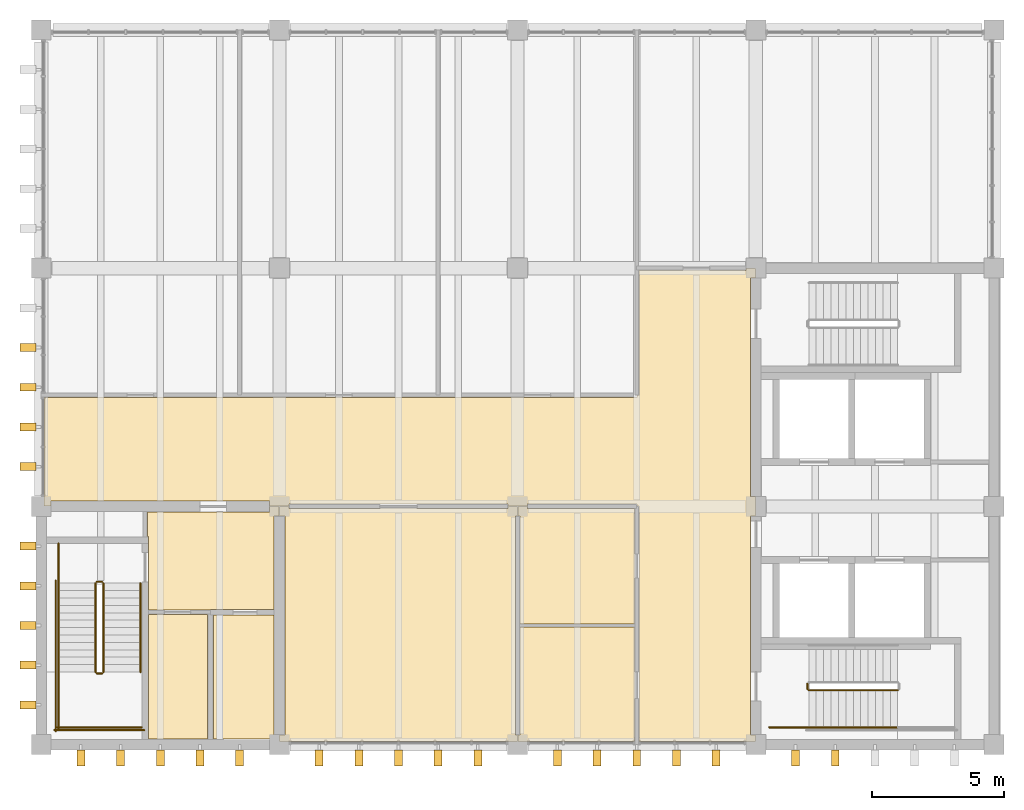
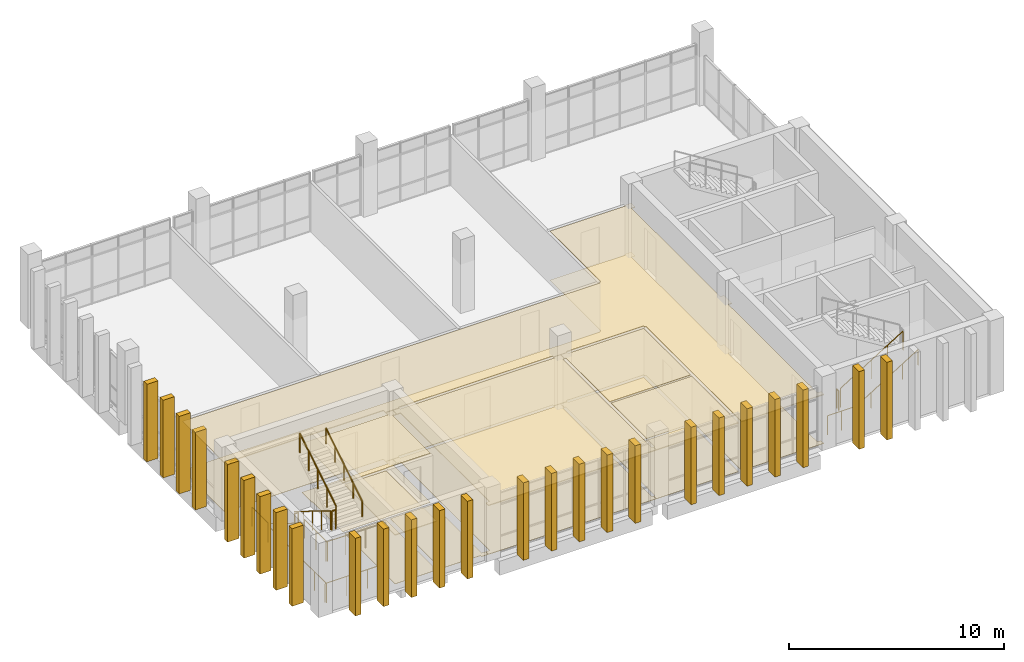
# One storey, part 12 of 14: 26 shading devices, 15 railings, 13 coverings.
"""IFC4 building model written with IfcOpenShell, lengths in metres."""

from ifc_helpers import new_model, si_unit, direction, frame, origin, origin_2d, place, context, subcontext, project, spatial, polyline, circle, outline, extrude, source, transform, mapped, material, layer, layer_set, type_object, element, save


model = new_model("IFC4")

# Units and contexts
model_context = context("Model", 3, precision=1e-05, world=origin(), true_north=direction((0.0, 1.0)))
body_context = subcontext(model_context, "Body", "Model", "MODEL_VIEW")
ifc_project = project(units=[si_unit("LENGTHUNIT", "METRE"), si_unit("AREAUNIT", "SQUARE_METRE"), si_unit("VOLUMEUNIT", "CUBIC_METRE"), si_unit("PLANEANGLEUNIT", "RADIAN"), si_unit("MASSUNIT", "GRAM", prefix="KILO")], contexts=[model_context])

# Site, building, storey
site_placement = place(None, origin())
site = spatial("IfcSite", under=ifc_project, at=site_placement, CompositionType="ELEMENT")
building_placement = place(site_placement, origin())
building = spatial("IfcBuilding", under=site, at=building_placement, Name="Merrow Basin Faculty of Sciences", CompositionType="ELEMENT")
storey_placement = place(building_placement, frame((0.0, 0.0, 27.0)))
storey = spatial("IfcBuildingStorey", under=building, at=storey_placement, Name="L06", CompositionType="ELEMENT", Elevation=27.0)

# Coverings
ifc_material_1 = material(Name="Carpet tile floor")
ifc_layer_1 = layer(ifc_material_1, 0.02001953125)
ifc_layer_set_1 = layer_set([ifc_layer_1], Name="Carpet tile floor")
covering_type_1 = type_object("IfcCoveringType", Name="Carpet tile floor", PredefinedType="FLOORING", material=ifc_layer_set_1)
covering_1_placement = place(storey_placement, origin())
element("IfcCovering", 1, at=covering_1_placement, inside=storey, type_object=covering_type_1, Name="Floor finish L06-T-011", PredefinedType="FLOORING", context=body_context, shape_type="SweptSolid", body=[
    extrude(outline(polyline([(26.989990234375, 142.110107421875), (26.635009765625, 142.110107421875), (26.635009765625, 142.2099609375), (24.510009765625, 142.2099609375), (24.510009765625, 146.889892578125), (26.7900390625, 146.889892578125), (26.7900390625, 142.364990234375), (26.989990234375, 142.364990234375), (26.989990234375, 142.110107421875)])), origin(), (0.0, 0.0, 1.0), 0.02001953125),
])
ifc_material_2 = material(Name="Ceramic floor tile")
ifc_layer_2 = layer(ifc_material_2, 0.02001953125)
ifc_layer_set_2 = layer_set([ifc_layer_2], Name="Ceramic floor tile")
covering_type_2 = type_object("IfcCoveringType", Name="Ceramic floor tile", PredefinedType="FLOORING", material=ifc_layer_set_2)
covering_2_placement = place(storey_placement, origin())
element("IfcCovering", 2, at=covering_2_placement, inside=storey, type_object=covering_type_2, Name="Floor finish L06-T-010", PredefinedType="FLOORING", context=body_context, shape_type="SweptSolid", body=[
    extrude(outline(polyline([(24.2900390625, 142.2099609375), (22.06005859375, 142.2099609375), (22.06005859375, 146.9150390625), (24.2900390625, 146.9150390625), (24.2900390625, 142.2099609375)])), origin(), (0.0, 0.0, 1.0), 0.02001953125),
])
covering_3_placement = place(storey_placement, origin())
element("IfcCovering", 3, at=covering_3_placement, inside=storey, type_object=covering_type_2, Name="Floor finish L06-T-012", PredefinedType="FLOORING", context=body_context, shape_type="SweptSolid", body=[
    extrude(outline(polyline([(36.010009765625, 142.110107421875), (36.010009765625, 142.364990234375), (36.0849609375, 142.364990234375), (36.0849609375, 146.43994140625), (40.4150390625, 146.43994140625), (40.4150390625, 142.110107421875), (36.010009765625, 142.110107421875)])), origin(), (0.0, 0.0, 1.0), 0.02001953125),
])
covering_4_placement = place(storey_placement, origin())
element("IfcCovering", 4, at=covering_4_placement, inside=storey, type_object=covering_type_2, Name="Floor finish L06-T-013", PredefinedType="FLOORING", context=body_context, shape_type="SweptSolid", body=[
    extrude(outline(polyline([(36.010009765625, 150.989990234375), (36.364990234375, 150.989990234375), (36.364990234375, 150.9150390625), (40.4150390625, 150.9150390625), (40.4150390625, 146.56005859375), (36.0849609375, 146.56005859375), (36.0849609375, 150.635009765625), (36.010009765625, 150.635009765625), (36.010009765625, 150.989990234375)])), origin(), (0.0, 0.0, 1.0), 0.02001953125),
])
ifc_material_3 = material(Name="Laboratory sheet vinyl floor")
ifc_layer_3 = layer(ifc_material_3, 0.02001953125)
ifc_layer_set_3 = layer_set([ifc_layer_3], Name="Laboratory sheet vinyl floor")
covering_type_3 = type_object("IfcCoveringType", Name="Laboratory sheet vinyl floor", PredefinedType="FLOORING", material=ifc_layer_set_3)
covering_5_placement = place(storey_placement, origin())
element("IfcCovering", 5, at=covering_5_placement, inside=storey, type_object=covering_type_3, Name="Floor finish L06-T-017", PredefinedType="FLOORING", context=body_context, shape_type="SweptSolid", body=[
    extrude(outline(polyline([(27.364990234375, 150.989990234375), (27.364990234375, 150.9150390625), (35.635009765625, 150.9150390625), (35.635009765625, 150.989990234375), (35.989990234375, 150.989990234375), (35.989990234375, 150.635009765625), (35.9150390625, 150.635009765625), (35.9150390625, 142.364990234375), (35.989990234375, 142.364990234375), (35.989990234375, 142.110107421875), (27.010009765625, 142.110107421875), (27.010009765625, 142.364990234375), (27.2099609375, 142.364990234375), (27.2099609375, 150.635009765625), (27.010009765625, 150.635009765625), (27.010009765625, 150.989990234375), (27.364990234375, 150.989990234375)])), origin(), (0.0, 0.0, 1.0), 0.02001953125),
])
ifc_material_4 = material(Name="Polished terrazzo floor")
ifc_layer_4 = layer(ifc_material_4, 0.02001953125)
ifc_layer_set_4 = layer_set([ifc_layer_4], Name="Polished terrazzo floor")
covering_type_4 = type_object("IfcCoveringType", Name="Polished terrazzo floor", PredefinedType="FLOORING", material=ifc_layer_set_4)
covering_6_placement = place(storey_placement, origin())
element("IfcCovering", 6, at=covering_6_placement, inside=storey, type_object=covering_type_4, Name="Floor finish L06-T-009", PredefinedType="FLOORING", context=body_context, shape_type="SweptSolid", body=[
    extrude(outline(polyline([(26.989990234375, 150.989990234375), (26.989990234375, 150.635009765625), (26.7900390625, 150.635009765625), (26.7900390625, 147.110107421875), (24.389892578125, 147.110107421875), (24.389892578125, 147.0849609375), (22.06005859375, 147.0849609375), (22.06005859375, 149.860107421875), (22.010009765625, 149.860107421875), (22.010009765625, 150.7900390625), (26.635009765625, 150.7900390625), (26.635009765625, 150.989990234375), (26.989990234375, 150.989990234375)])), origin(), (0.0, 0.0, 1.0), 0.02001953125),
])
covering_7_placement = place(storey_placement, origin())
element("IfcCovering", 7, at=covering_7_placement, inside=storey, type_object=covering_type_4, Name="Floor finish L06-T-019", PredefinedType="FLOORING", context=body_context, shape_type="SweptSolid", body=[
    extrude(outline(polyline([(44.989990234375, 159.635009765625), (44.7900390625, 159.635009765625), (44.7900390625, 151.364990234375), (44.989990234375, 151.364990234375), (44.989990234375, 150.635009765625), (44.7900390625, 150.635009765625), (44.7900390625, 142.364990234375), (44.989990234375, 142.364990234375), (44.989990234375, 142.110107421875), (40.5849609375, 142.110107421875), (40.5849609375, 151.010009765625), (40.510009765625, 151.010009765625), (40.510009765625, 151.0849609375), (36.364990234375, 151.0849609375), (36.364990234375, 151.010009765625), (35.635009765625, 151.010009765625), (35.635009765625, 151.0849609375), (27.364990234375, 151.0849609375), (27.364990234375, 151.010009765625), (26.635009765625, 151.010009765625), (26.635009765625, 151.2099609375), (18.364990234375, 151.2099609375), (18.364990234375, 151.010009765625), (18.110107421875, 151.010009765625), (18.110107421875, 155.114990234375), (40.510009765625, 155.114990234375), (40.510009765625, 155.18994140625), (40.5849609375, 155.18994140625), (40.5849609375, 159.9150390625), (44.635009765625, 159.9150390625), (44.635009765625, 159.989990234375), (44.989990234375, 159.989990234375), (44.989990234375, 159.635009765625)])), origin(), (0.0, 0.0, 1.0), 0.02001953125),
])

# Railings
ifc_material_5 = material(Name="Steel ASTM A36", Category="steel")
railing_type_1 = type_object("IfcRailingType", Name="Steel guard 1100", PredefinedType="GUARDRAIL", material=ifc_material_5)
railing_1_placement = place(storey_placement, frame((47.0, 144.050048828125, 0.173095703125)))
element("IfcRailing", 8, at=railing_1_placement, inside=storey, type_object=railing_type_1, Name="L06 ST-V5-N stair guard 1", PredefinedType="GUARDRAIL", context=body_context, shape_type="SweptSolid", body=[
    extrude(circle(Radius=0.02392578125, at=origin_2d()), frame((0.0, 0.0, 1.076171875), z_axis=(0.850623216509, 0.0, 0.525775754039), x_axis=(0.0, 1.0, 0.0)), (0.0, 0.0, 1.0), 3.9501953125),
    extrude(circle(Radius=0.02099609375, at=origin_2d()), origin(), (0.0, 0.0, 1.0), 1.052001953125),
    extrude(circle(Radius=0.02099609375, at=origin_2d()), frame((0.840087890625, 0.0, 0.519287109375)), (0.0, 0.0, 1.0), 1.052001953125),
    extrude(circle(Radius=0.02099609375, at=origin_2d()), frame((1.68017578125, 0.0, 1.03857421875)), (0.0, 0.0, 1.0), 1.052001953125),
    extrude(circle(Radius=0.02099609375, at=origin_2d()), frame((2.52001953125, 0.0, 1.5576171875)), (0.0, 0.0, 1.0), 1.052001953125),
    extrude(circle(Radius=0.02099609375, at=origin_2d()), frame((3.360107421875, 0.0, 2.076904296875)), (0.0, 0.0, 1.0), 1.052001953125),
])
railing_2_placement = place(storey_placement, frame((46.949951171875, 144.10009765625, 0.0)))
element("IfcRailing", 9, at=railing_2_placement, inside=storey, type_object=railing_type_1, Name="L06 ST-V5-N stair guard 5", PredefinedType="GUARDRAIL", context=body_context, shape_type="SweptSolid", body=[
    extrude(circle(Radius=0.02392578125, at=origin_2d()), frame((0.0, 0.0, 1.076171875), z_axis=(0.0, 1.0, 0.0), x_axis=(-1.0, 0.0, 0.0)), (0.0, 0.0, 1.0), 0.199951171875),
    extrude(circle(Radius=0.02099609375, at=origin_2d()), origin(), (0.0, 0.0, 1.0), 1.052001953125),
    extrude(circle(Radius=0.02099609375, at=origin_2d()), frame((0.0, 0.199951171875, 0.0)), (0.0, 0.0, 1.0), 1.052001953125),
])
railing_3_placement = place(storey_placement, frame((45.5, 142.64990234375, 0.0)))
element("IfcRailing", 10, at=railing_3_placement, inside=storey, type_object=railing_type_1, Name="L06 ST-V5-N stair guard 6", PredefinedType="GUARDRAIL", context=body_context, shape_type="SweptSolid", body=[
    extrude(circle(Radius=0.02392578125, at=origin_2d()), frame((0.0, 0.0, 1.076171875), z_axis=(1.0, 0.0, 0.0), x_axis=(0.0, 1.0, 0.0)), (0.0, 0.0, 1.0), 1.5),
    extrude(circle(Radius=0.02099609375, at=origin_2d()), origin(), (0.0, 0.0, 1.0), 1.052001953125),
    extrude(circle(Radius=0.02099609375, at=origin_2d()), frame((0.75, 0.0, 0.0)), (0.0, 0.0, 1.0), 1.052001953125),
    extrude(circle(Radius=0.02099609375, at=origin_2d()), frame((1.5, 0.0, 0.0)), (0.0, 0.0, 1.0), 1.052001953125),
])
railing_4_placement = place(storey_placement, frame((20.050048828125, 148.10009765625, 0.173095703125)))
element("IfcRailing", 11, at=railing_4_placement, inside=storey, type_object=railing_type_1, Name="L06 ST-V5-W stair guard 1", PredefinedType="GUARDRAIL", context=body_context, shape_type="SweptSolid", body=[
    extrude(circle(Radius=0.02392578125, at=origin_2d()), frame((0.0, 0.0, 1.076171875), z_axis=(0.0, -0.850623216509, 0.525775754039), x_axis=(1.0, 0.0, 0.0)), (0.0, 0.0, 1.0), 3.9501953125),
    extrude(circle(Radius=0.02099609375, at=origin_2d()), origin(), (0.0, 0.0, 1.0), 1.052001953125),
    extrude(circle(Radius=0.02099609375, at=origin_2d()), frame((0.0, -0.840087890625, 0.519287109375)), (0.0, 0.0, 1.0), 1.052001953125),
    extrude(circle(Radius=0.02099609375, at=origin_2d()), frame((0.0, -1.68017578125, 1.03857421875)), (0.0, 0.0, 1.0), 1.052001953125),
    extrude(circle(Radius=0.02099609375, at=origin_2d()), frame((0.0, -2.52001953125, 1.5576171875)), (0.0, 0.0, 1.0), 1.052001953125),
    extrude(circle(Radius=0.02099609375, at=origin_2d()), frame((0.0, -3.360107421875, 2.076904296875)), (0.0, 0.0, 1.0), 1.052001953125),
])
railing_5_placement = place(storey_placement, frame((20.10009765625, 144.68994140625, 2.25)))
element("IfcRailing", 12, at=railing_5_placement, inside=storey, type_object=railing_type_1, Name="L06 ST-V5-W stair guard 2", PredefinedType="GUARDRAIL", context=body_context, shape_type="SweptSolid", body=[
    extrude(circle(Radius=0.02392578125, at=origin_2d()), frame((0.0, 0.0, 1.076171875), z_axis=(1.0, 0.0, 0.0), x_axis=(0.0, 1.0, 0.0)), (0.0, 0.0, 1.0), 0.199951171875),
    extrude(circle(Radius=0.02099609375, at=origin_2d()), origin(), (0.0, 0.0, 1.0), 1.052001953125),
    extrude(circle(Radius=0.02099609375, at=origin_2d()), frame((0.199951171875, 0.0, 0.0)), (0.0, 0.0, 1.0), 1.052001953125),
])
railing_6_placement = place(storey_placement, frame((18.64990234375, 144.739990234375, 2.25)))
element("IfcRailing", 13, at=railing_6_placement, inside=storey, type_object=railing_type_1, Name="L06 ST-V5-W stair guard 3", PredefinedType="GUARDRAIL", context=body_context, shape_type="SweptSolid", body=[
    extrude(circle(Radius=0.02392578125, at=origin_2d()), frame((0.0, 0.0, 1.076171875), z_axis=(0.0, -1.0, 0.0), x_axis=(1.0, 0.0, 0.0)), (0.0, 0.0, 1.0), 2.139892578125),
    extrude(circle(Radius=0.02099609375, at=origin_2d()), origin(), (0.0, 0.0, 1.0), 1.052001953125),
    extrude(circle(Radius=0.02099609375, at=origin_2d()), frame((0.0, -1.06982421875, 0.0)), (0.0, 0.0, 1.0), 1.052001953125),
    extrude(circle(Radius=0.02099609375, at=origin_2d()), frame((0.0, -2.139892578125, 0.0)), (0.0, 0.0, 1.0), 1.052001953125),
])
railing_7_placement = place(storey_placement, frame((18.60009765625, 142.64990234375, 2.25)))
element("IfcRailing", 14, at=railing_7_placement, inside=storey, type_object=railing_type_1, Name="L06 ST-V5-W stair guard 4", PredefinedType="GUARDRAIL", context=body_context, shape_type="SweptSolid", body=[
    extrude(circle(Radius=0.02392578125, at=origin_2d()), frame((0.0, 0.0, 1.076171875), z_axis=(1.0, 0.0, 0.0), x_axis=(0.0, 1.0, 0.0)), (0.0, 0.0, 1.0), 3.199951171875),
    extrude(circle(Radius=0.02099609375, at=origin_2d()), origin(), (0.0, 0.0, 1.0), 1.052001953125),
    extrude(circle(Radius=0.02099609375, at=origin_2d()), frame((1.066650390625, 0.0, 0.0)), (0.0, 0.0, 1.0), 1.052001953125),
    extrude(circle(Radius=0.02099609375, at=origin_2d()), frame((2.13330078125, 0.0, 0.0)), (0.0, 0.0, 1.0), 1.052001953125),
    extrude(circle(Radius=0.02099609375, at=origin_2d()), frame((3.199951171875, 0.0, 0.0)), (0.0, 0.0, 1.0), 1.052001953125),
])
railing_8_placement = place(storey_placement, frame((20.35009765625, 144.739990234375, 2.423095703125)))
element("IfcRailing", 15, at=railing_8_placement, inside=storey, type_object=railing_type_1, Name="L06 ST-V5-W stair guard 5", PredefinedType="GUARDRAIL", context=body_context, shape_type="SweptSolid", body=[
    extrude(circle(Radius=0.02392578125, at=origin_2d()), frame((0.0, 0.0, 1.076171875), z_axis=(0.0, 0.850623216509, 0.525775754039), x_axis=(-1.0, 0.0, 0.0)), (0.0, 0.0, 1.0), 3.9501953125),
    extrude(circle(Radius=0.02099609375, at=origin_2d()), origin(), (0.0, 0.0, 1.0), 1.052001953125),
    extrude(circle(Radius=0.02099609375, at=origin_2d()), frame((0.0, 0.840087890625, 0.519287109375)), (0.0, 0.0, 1.0), 1.052001953125),
    extrude(circle(Radius=0.02099609375, at=origin_2d()), frame((0.0, 1.68017578125, 1.03857421875)), (0.0, 0.0, 1.0), 1.052001953125),
    extrude(circle(Radius=0.02099609375, at=origin_2d()), frame((0.0, 2.52001953125, 1.5576171875)), (0.0, 0.0, 1.0), 1.052001953125),
    extrude(circle(Radius=0.02099609375, at=origin_2d()), frame((0.0, 3.360107421875, 2.076904296875)), (0.0, 0.0, 1.0), 1.052001953125),
])
railing_9_placement = place(storey_placement, frame((20.10009765625, 148.14990234375, 0.0)))
element("IfcRailing", 16, at=railing_9_placement, inside=storey, type_object=railing_type_1, Name="L06 ST-V5-W stair guard 6", PredefinedType="GUARDRAIL", context=body_context, shape_type="SweptSolid", body=[
    extrude(circle(Radius=0.02392578125, at=origin_2d()), frame((0.0, 0.0, 1.076171875), z_axis=(1.0, 0.0, 0.0), x_axis=(0.0, 1.0, 0.0)), (0.0, 0.0, 1.0), 0.199951171875),
    extrude(circle(Radius=0.02099609375, at=origin_2d()), origin(), (0.0, 0.0, 1.0), 1.052001953125),
    extrude(circle(Radius=0.02099609375, at=origin_2d()), frame((0.199951171875, 0.0, 0.0)), (0.0, 0.0, 1.0), 1.052001953125),
])
railing_10_placement = place(storey_placement, frame((18.64990234375, 149.60009765625, 0.0)))
element("IfcRailing", 17, at=railing_10_placement, inside=storey, type_object=railing_type_1, Name="L06 ST-V5-W stair guard 7", PredefinedType="GUARDRAIL", context=body_context, shape_type="SweptSolid", body=[
    extrude(circle(Radius=0.02392578125, at=origin_2d()), frame((0.0, 0.0, 1.076171875), z_axis=(0.0, -1.0, 0.0), x_axis=(1.0, 0.0, 0.0)), (0.0, 0.0, 1.0), 1.5),
    extrude(circle(Radius=0.02099609375, at=origin_2d()), origin(), (0.0, 0.0, 1.0), 1.052001953125),
    extrude(circle(Radius=0.02099609375, at=origin_2d()), frame((0.0, -0.75, 0.0)), (0.0, 0.0, 1.0), 1.052001953125),
    extrude(circle(Radius=0.02099609375, at=origin_2d()), frame((0.0, -1.5, 0.0)), (0.0, 0.0, 1.0), 1.052001953125),
])
railing_11_placement = place(storey_placement, frame((18.550048828125, 148.199951171875, 0.0)))
element("IfcRailing", 18, at=railing_11_placement, inside=storey, type_object=railing_type_1, Name="L06 ST-V5-W stair guard 8", PredefinedType="GUARDRAIL", context=body_context, shape_type="SweptSolid", body=[
    extrude(circle(Radius=0.02392578125, at=origin_2d()), frame((0.0, 0.0, 1.076171875), z_axis=(0.0, -1.0, 0.0), x_axis=(1.0, 0.0, 0.0)), (0.0, 0.0, 1.0), 5.699951171875),
    extrude(circle(Radius=0.02099609375, at=origin_2d()), origin(), (0.0, 0.0, 1.0), 1.052001953125),
    extrude(circle(Radius=0.02099609375, at=origin_2d()), frame((0.0, -1.139892578125, 0.0)), (0.0, 0.0, 1.0), 1.052001953125),
    extrude(circle(Radius=0.02099609375, at=origin_2d()), frame((0.0, -2.280029296875, 0.0)), (0.0, 0.0, 1.0), 1.052001953125),
    extrude(circle(Radius=0.02099609375, at=origin_2d()), frame((0.0, -3.419921875, 0.0)), (0.0, 0.0, 1.0), 1.052001953125),
    extrude(circle(Radius=0.02099609375, at=origin_2d()), frame((0.0, -4.56005859375, 0.0)), (0.0, 0.0, 1.0), 1.052001953125),
    extrude(circle(Radius=0.02099609375, at=origin_2d()), frame((0.0, -5.699951171875, 0.0)), (0.0, 0.0, 1.0), 1.052001953125),
])
railing_12_placement = place(storey_placement, frame((18.5, 142.550048828125, 0.0)))
element("IfcRailing", 19, at=railing_12_placement, inside=storey, type_object=railing_type_1, Name="L06 ST-V5-W stair guard 9", PredefinedType="GUARDRAIL", context=body_context, shape_type="SweptSolid", body=[
    extrude(circle(Radius=0.02392578125, at=origin_2d()), frame((0.0, 0.0, 1.076171875), z_axis=(1.0, 0.0, 0.0), x_axis=(0.0, 1.0, 0.0)), (0.0, 0.0, 1.0), 3.39990234375),
    extrude(circle(Radius=0.02099609375, at=origin_2d()), origin(), (0.0, 0.0, 1.0), 1.052001953125),
    extrude(circle(Radius=0.02099609375, at=origin_2d()), frame((1.13330078125, 0.0, 0.0)), (0.0, 0.0, 1.0), 1.052001953125),
    extrude(circle(Radius=0.02099609375, at=origin_2d()), frame((2.2666015625, 0.0, 0.0)), (0.0, 0.0, 1.0), 1.052001953125),
    extrude(circle(Radius=0.02099609375, at=origin_2d()), frame((3.39990234375, 0.0, 0.0)), (0.0, 0.0, 1.0), 1.052001953125),
])
ifc_material_6 = material(Name="Steel ASTM A36", Category="steel")
railing_type_2 = type_object("IfcRailingType", Name="Steel handrail 900", PredefinedType="HANDRAIL", material=ifc_material_6)
railing_13_placement = place(storey_placement, frame((47.0, 142.64990234375, 0.173095703125)))
element("IfcRailing", 20, at=railing_13_placement, inside=storey, type_object=railing_type_2, Name="L06 ST-V5-N stair handrail 1", PredefinedType="HANDRAIL", context=body_context, shape_type="SweptSolid", body=[
    extrude(circle(Radius=0.02392578125, at=origin_2d()), frame((0.0, 0.0, 0.8759765625), z_axis=(0.850623216509, 0.0, 0.525775754039), x_axis=(0.0, 1.0, 0.0)), (0.0, 0.0, 1.0), 3.9501953125),
    extrude(circle(Radius=0.02099609375, at=origin_2d()), origin(), (0.0, 0.0, 1.0), 0.851806640625),
    extrude(circle(Radius=0.02099609375, at=origin_2d()), frame((0.840087890625, 0.0, 0.519287109375)), (0.0, 0.0, 1.0), 0.851806640625),
    extrude(circle(Radius=0.02099609375, at=origin_2d()), frame((1.68017578125, 0.0, 1.03857421875)), (0.0, 0.0, 1.0), 0.851806640625),
    extrude(circle(Radius=0.02099609375, at=origin_2d()), frame((2.52001953125, 0.0, 1.5576171875)), (0.0, 0.0, 1.0), 0.851806640625),
    extrude(circle(Radius=0.02099609375, at=origin_2d()), frame((3.360107421875, 0.0, 2.076904296875)), (0.0, 0.0, 1.0), 0.851806640625),
])
railing_14_placement = place(storey_placement, frame((18.64990234375, 148.10009765625, 0.173095703125)))
element("IfcRailing", 21, at=railing_14_placement, inside=storey, type_object=railing_type_2, Name="L06 ST-V5-W stair handrail 1", PredefinedType="HANDRAIL", context=body_context, shape_type="SweptSolid", body=[
    extrude(circle(Radius=0.02392578125, at=origin_2d()), frame((0.0, 0.0, 0.8759765625), z_axis=(0.0, -0.850623216509, 0.525775754039), x_axis=(1.0, 0.0, 0.0)), (0.0, 0.0, 1.0), 3.9501953125),
    extrude(circle(Radius=0.02099609375, at=origin_2d()), origin(), (0.0, 0.0, 1.0), 0.851806640625),
    extrude(circle(Radius=0.02099609375, at=origin_2d()), frame((0.0, -0.840087890625, 0.519287109375)), (0.0, 0.0, 1.0), 0.851806640625),
    extrude(circle(Radius=0.02099609375, at=origin_2d()), frame((0.0, -1.68017578125, 1.03857421875)), (0.0, 0.0, 1.0), 0.851806640625),
    extrude(circle(Radius=0.02099609375, at=origin_2d()), frame((0.0, -2.52001953125, 1.5576171875)), (0.0, 0.0, 1.0), 0.851806640625),
    extrude(circle(Radius=0.02099609375, at=origin_2d()), frame((0.0, -3.360107421875, 2.076904296875)), (0.0, 0.0, 1.0), 0.851806640625),
])
railing_15_placement = place(storey_placement, frame((21.75, 144.739990234375, 2.423095703125)))
element("IfcRailing", 22, at=railing_15_placement, inside=storey, type_object=railing_type_2, Name="L06 ST-V5-W stair handrail 2", PredefinedType="HANDRAIL", context=body_context, shape_type="SweptSolid", body=[
    extrude(circle(Radius=0.02392578125, at=origin_2d()), frame((0.0, 0.0, 0.8759765625), z_axis=(0.0, 0.850623216509, 0.525775754039), x_axis=(-1.0, 0.0, 0.0)), (0.0, 0.0, 1.0), 3.9501953125),
    extrude(circle(Radius=0.02099609375, at=origin_2d()), origin(), (0.0, 0.0, 1.0), 0.851806640625),
    extrude(circle(Radius=0.02099609375, at=origin_2d()), frame((0.0, 0.840087890625, 0.519287109375)), (0.0, 0.0, 1.0), 0.851806640625),
    extrude(circle(Radius=0.02099609375, at=origin_2d()), frame((0.0, 1.68017578125, 1.03857421875)), (0.0, 0.0, 1.0), 0.851806640625),
    extrude(circle(Radius=0.02099609375, at=origin_2d()), frame((0.0, 2.52001953125, 1.5576171875)), (0.0, 0.0, 1.0), 0.851806640625),
    extrude(circle(Radius=0.02099609375, at=origin_2d()), frame((0.0, 3.360107421875, 2.076904296875)), (0.0, 0.0, 1.0), 0.851806640625),
])

# Coverings
ifc_material_7 = material(Name="Mineral fibre ceiling tile")
ifc_layer_5 = layer(ifc_material_7, 0.050048828125)
ifc_layer_set_5 = layer_set([ifc_layer_5], Name="Suspended acoustic ceiling tile")
covering_type_5 = type_object("IfcCoveringType", Name="Suspended acoustic ceiling tile", PredefinedType="CEILING", material=ifc_layer_set_5)
covering_8_placement = place(storey_placement, frame((0.0, 0.0, 2.75)))
element("IfcCovering", 23, at=covering_8_placement, inside=storey, type_object=covering_type_5, Name="Ceiling L06-T-009", PredefinedType="CEILING", context=body_context, shape_type="SweptSolid", body=[
    extrude(outline(polyline([(26.989990234375, 150.989990234375), (26.989990234375, 150.635009765625), (26.7900390625, 150.635009765625), (26.7900390625, 147.110107421875), (24.389892578125, 147.110107421875), (24.389892578125, 147.0849609375), (22.06005859375, 147.0849609375), (22.06005859375, 149.860107421875), (22.010009765625, 149.860107421875), (22.010009765625, 150.7900390625), (26.635009765625, 150.7900390625), (26.635009765625, 150.989990234375), (26.989990234375, 150.989990234375)])), origin(), (0.0, 0.0, 1.0), 0.050048828125),
])
covering_9_placement = place(storey_placement, frame((0.0, 0.0, 2.75)))
element("IfcCovering", 24, at=covering_9_placement, inside=storey, type_object=covering_type_5, Name="Ceiling L06-T-010", PredefinedType="CEILING", context=body_context, shape_type="SweptSolid", body=[
    extrude(outline(polyline([(24.2900390625, 142.2099609375), (22.06005859375, 142.2099609375), (22.06005859375, 146.9150390625), (24.2900390625, 146.9150390625), (24.2900390625, 142.2099609375)])), origin(), (0.0, 0.0, 1.0), 0.050048828125),
])
covering_10_placement = place(storey_placement, frame((0.0, 0.0, 2.75)))
element("IfcCovering", 25, at=covering_10_placement, inside=storey, type_object=covering_type_5, Name="Ceiling L06-T-012", PredefinedType="CEILING", context=body_context, shape_type="SweptSolid", body=[
    extrude(outline(polyline([(36.010009765625, 142.110107421875), (36.010009765625, 142.364990234375), (36.0849609375, 142.364990234375), (36.0849609375, 146.43994140625), (40.4150390625, 146.43994140625), (40.4150390625, 142.110107421875), (36.010009765625, 142.110107421875)])), origin(), (0.0, 0.0, 1.0), 0.050048828125),
])
covering_11_placement = place(storey_placement, frame((0.0, 0.0, 2.75)))
element("IfcCovering", 26, at=covering_11_placement, inside=storey, type_object=covering_type_5, Name="Ceiling L06-T-013", PredefinedType="CEILING", context=body_context, shape_type="SweptSolid", body=[
    extrude(outline(polyline([(36.010009765625, 150.989990234375), (36.364990234375, 150.989990234375), (36.364990234375, 150.9150390625), (40.4150390625, 150.9150390625), (40.4150390625, 146.56005859375), (36.0849609375, 146.56005859375), (36.0849609375, 150.635009765625), (36.010009765625, 150.635009765625), (36.010009765625, 150.989990234375)])), origin(), (0.0, 0.0, 1.0), 0.050048828125),
])
covering_12_placement = place(storey_placement, frame((0.0, 0.0, 2.75)))
element("IfcCovering", 27, at=covering_12_placement, inside=storey, type_object=covering_type_5, Name="Ceiling L06-T-017", PredefinedType="CEILING", context=body_context, shape_type="SweptSolid", body=[
    extrude(outline(polyline([(27.364990234375, 150.989990234375), (27.364990234375, 150.9150390625), (35.635009765625, 150.9150390625), (35.635009765625, 150.989990234375), (35.989990234375, 150.989990234375), (35.989990234375, 150.635009765625), (35.9150390625, 150.635009765625), (35.9150390625, 142.364990234375), (35.989990234375, 142.364990234375), (35.989990234375, 142.110107421875), (27.010009765625, 142.110107421875), (27.010009765625, 142.364990234375), (27.2099609375, 142.364990234375), (27.2099609375, 150.635009765625), (27.010009765625, 150.635009765625), (27.010009765625, 150.989990234375), (27.364990234375, 150.989990234375)])), origin(), (0.0, 0.0, 1.0), 0.050048828125),
])
covering_13_placement = place(storey_placement, frame((0.0, 0.0, 2.75)))
element("IfcCovering", 28, at=covering_13_placement, inside=storey, type_object=covering_type_5, Name="Ceiling L06-T-019", PredefinedType="CEILING", context=body_context, shape_type="SweptSolid", body=[
    extrude(outline(polyline([(44.989990234375, 159.635009765625), (44.7900390625, 159.635009765625), (44.7900390625, 151.364990234375), (44.989990234375, 151.364990234375), (44.989990234375, 150.635009765625), (44.7900390625, 150.635009765625), (44.7900390625, 142.364990234375), (44.989990234375, 142.364990234375), (44.989990234375, 142.110107421875), (40.5849609375, 142.110107421875), (40.5849609375, 151.010009765625), (40.510009765625, 151.010009765625), (40.510009765625, 151.0849609375), (36.364990234375, 151.0849609375), (36.364990234375, 151.010009765625), (35.635009765625, 151.010009765625), (35.635009765625, 151.0849609375), (27.364990234375, 151.0849609375), (27.364990234375, 151.010009765625), (26.635009765625, 151.010009765625), (26.635009765625, 151.2099609375), (18.364990234375, 151.2099609375), (18.364990234375, 151.010009765625), (18.110107421875, 151.010009765625), (18.110107421875, 155.114990234375), (40.510009765625, 155.114990234375), (40.510009765625, 155.18994140625), (40.5849609375, 155.18994140625), (40.5849609375, 159.9150390625), (44.635009765625, 159.9150390625), (44.635009765625, 159.989990234375), (44.989990234375, 159.989990234375), (44.989990234375, 159.635009765625)])), origin(), (0.0, 0.0, 1.0), 0.050048828125),
])

# Shading devices
ifc_material_8 = material(Name="White precast concrete C50/60", Category="concrete")
shading_device_type = type_object("IfcShadingDeviceType", Name="White precast fin 300 x 600", PredefinedType="USERDEFINED", material=ifc_material_8)
shared_shape = source(origin(), body_context, "Body", "SweptSolid", [
    extrude(outline(polyline([(0.0, 0.0), (0.300048828125, 0.0), (0.300048828125, 4.39990234375), (0.0, 4.39990234375), (0.0, 0.0)])), origin(), (0.0, 0.0, 1.0), 0.60009765625),
])
for number, where, z_axis, x_axis, name in (
    (29, (19.35009765625, 141.800048828125, -0.25), (0.0, -1.0, 0.0), (1.0, 0.0, 0.0), "Brise-soleil fin SL06"),
    (30, (20.85009765625, 141.800048828125, -0.25), (0.0, -1.0, 0.0), (1.0, 0.0, 0.0), "Brise-soleil fin SL06"),
    (31, (22.35009765625, 141.800048828125, -0.25), (0.0, -1.0, 0.0), (1.0, 0.0, 0.0), "Brise-soleil fin SL06"),
    (32, (23.85009765625, 141.800048828125, -0.25), (0.0, -1.0, 0.0), (1.0, 0.0, 0.0), "Brise-soleil fin SL06"),
    (33, (25.35009765625, 141.800048828125, -0.25), (0.0, -1.0, 0.0), (1.0, 0.0, 0.0), "Brise-soleil fin SL06"),
    (34, (28.35009765625, 141.800048828125, -0.25), (0.0, -1.0, 0.0), (1.0, 0.0, 0.0), "Brise-soleil fin SL06"),
    (35, (29.85009765625, 141.800048828125, -0.25), (0.0, -1.0, 0.0), (1.0, 0.0, 0.0), "Brise-soleil fin SL06"),
    (36, (31.35009765625, 141.800048828125, -0.25), (0.0, -1.0, 0.0), (1.0, 0.0, 0.0), "Brise-soleil fin SL06"),
    (37, (32.85009765625, 141.800048828125, -0.25), (0.0, -1.0, 0.0), (1.0, 0.0, 0.0), "Brise-soleil fin SL06"),
    (38, (34.35009765625, 141.800048828125, -0.25), (0.0, -1.0, 0.0), (1.0, 0.0, 0.0), "Brise-soleil fin SL06"),
    (39, (37.35009765625, 141.800048828125, -0.25), (0.0, -1.0, 0.0), (1.0, 0.0, 0.0), "Brise-soleil fin SL06"),
    (40, (38.85009765625, 141.800048828125, -0.25), (0.0, -1.0, 0.0), (1.0, 0.0, 0.0), "Brise-soleil fin SL06"),
    (41, (40.35009765625, 141.800048828125, -0.25), (0.0, -1.0, 0.0), (1.0, 0.0, 0.0), "Brise-soleil fin SL06"),
    (42, (41.85009765625, 141.800048828125, -0.25), (0.0, -1.0, 0.0), (1.0, 0.0, 0.0), "Brise-soleil fin SL06"),
    (43, (43.35009765625, 141.800048828125, -0.25), (0.0, -1.0, 0.0), (1.0, 0.0, 0.0), "Brise-soleil fin SL06"),
    (44, (46.35009765625, 141.800048828125, -0.25), (0.0, -1.0, 0.0), (1.0, 0.0, 0.0), "Brise-soleil fin SL06"),
    (45, (47.85009765625, 141.800048828125, -0.25), (0.0, -1.0, 0.0), (1.0, 0.0, 0.0), "Brise-soleil fin SL06"),
    (46, (17.800048828125, 143.64990234375, -0.25), (-1.0, 0.0, 0.0), (0.0, -1.0, 0.0), "Brise-soleil fin WL06"),
    (47, (17.800048828125, 145.14990234375, -0.25), (-1.0, 0.0, 0.0), (0.0, -1.0, 0.0), "Brise-soleil fin WL06"),
    (48, (17.800048828125, 146.64990234375, -0.25), (-1.0, 0.0, 0.0), (0.0, -1.0, 0.0), "Brise-soleil fin WL06"),
    (49, (17.800048828125, 148.14990234375, -0.25), (-1.0, 0.0, 0.0), (0.0, -1.0, 0.0), "Brise-soleil fin WL06"),
    (50, (17.800048828125, 149.64990234375, -0.25), (-1.0, 0.0, 0.0), (0.0, -1.0, 0.0), "Brise-soleil fin WL06"),
    (51, (17.800048828125, 152.64990234375, -0.25), (-1.0, 0.0, 0.0), (0.0, -1.0, 0.0), "Brise-soleil fin WL06"),
    (52, (17.800048828125, 154.14990234375, -0.25), (-1.0, 0.0, 0.0), (0.0, -1.0, 0.0), "Brise-soleil fin WL06"),
    (53, (17.800048828125, 155.64990234375, -0.25), (-1.0, 0.0, 0.0), (0.0, -1.0, 0.0), "Brise-soleil fin WL06"),
    (54, (17.800048828125, 157.14990234375, -0.25), (-1.0, 0.0, 0.0), (0.0, -1.0, 0.0), "Brise-soleil fin WL06"),
):
    element("IfcShadingDevice", number, at=place(storey_placement, frame(where, z_axis=z_axis, x_axis=x_axis)), inside=storey, type_object=shading_device_type, Name=name, ObjectType="FIN", PredefinedType="USERDEFINED", context=body_context, shape_type="MappedRepresentation", body=[
        mapped(shared_shape, transform((0.0, 0.0, 0.0), scale=1.0)),
    ])

save(model, "model.ifc")
